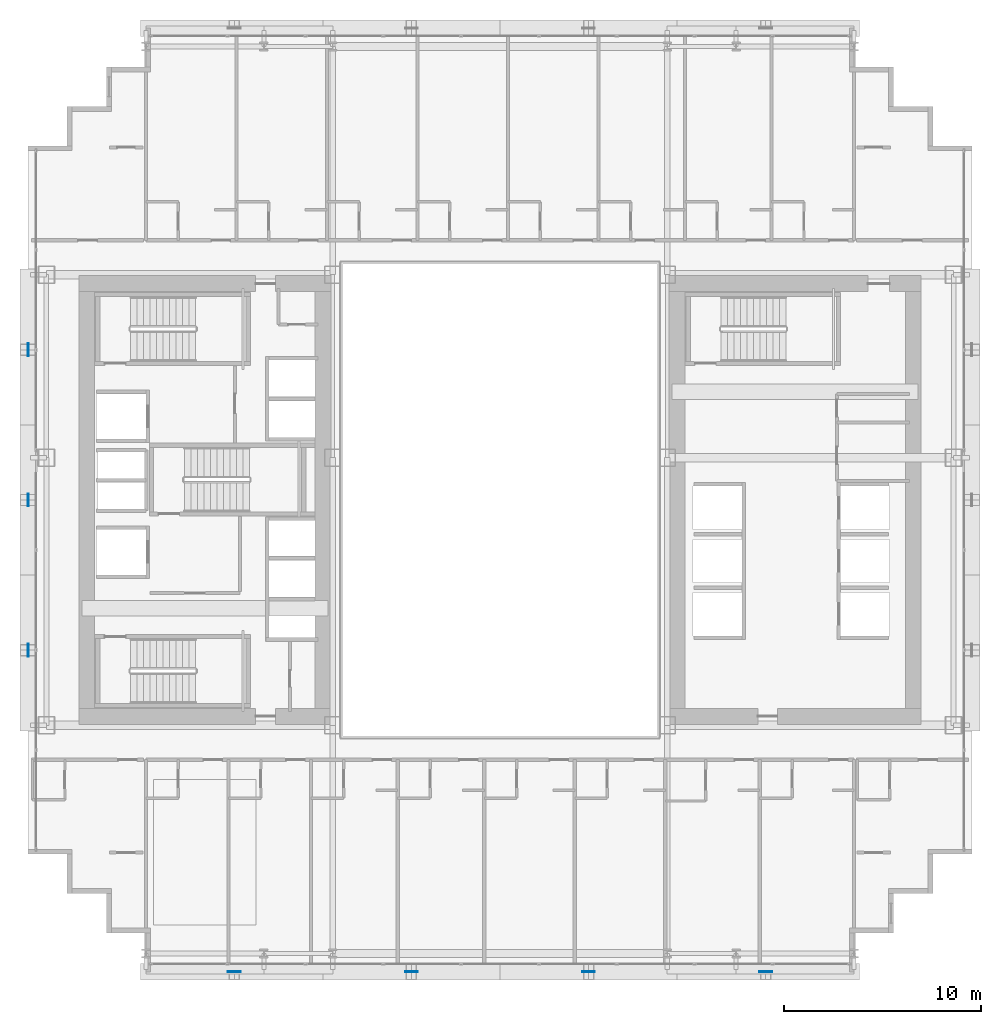
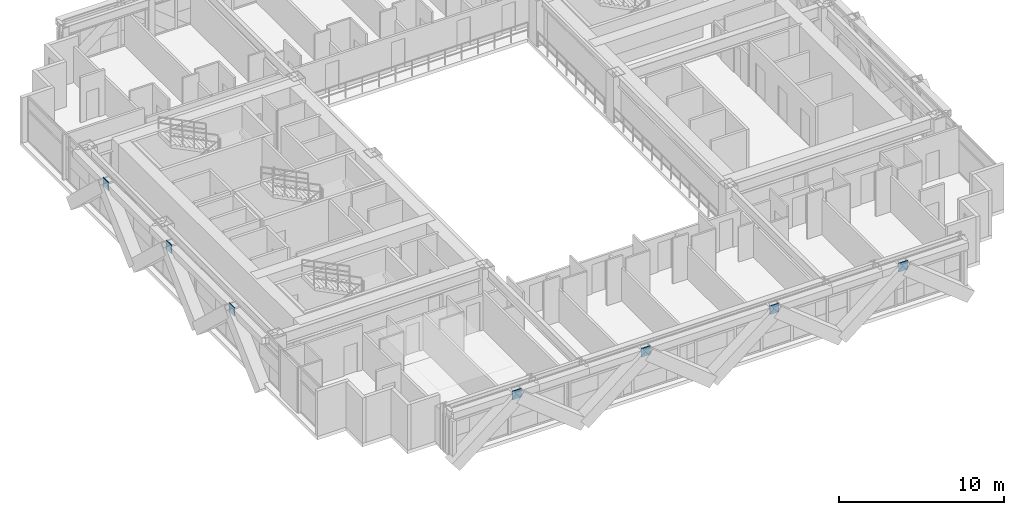
# One storey, part 25 of 36: 7 plates.
"""IFC4 building model written with IfcOpenShell, lengths in metres."""

from ifc_helpers import new_model, si_unit, direction, frame, origin, origin_2d, place, context, subcontext, project, spatial, rectangle, extrude, source, transform, mapped, material, layer, layer_set, type_object, element, save


model = new_model("IFC4")

# Units and contexts
model_context = context("Model", 3, precision=1e-05, world=origin(), true_north=direction((0.0, 1.0)))
body_context = subcontext(model_context, "Body", "Model", "MODEL_VIEW")
ifc_project = project(units=[si_unit("LENGTHUNIT", "METRE"), si_unit("AREAUNIT", "SQUARE_METRE"), si_unit("VOLUMEUNIT", "CUBIC_METRE"), si_unit("PLANEANGLEUNIT", "RADIAN"), si_unit("MASSUNIT", "GRAM", prefix="KILO")], contexts=[model_context])

# Site, building, storey
site_placement = place(None, origin())
site = spatial("IfcSite", under=ifc_project, at=site_placement, CompositionType="ELEMENT")
building_placement = place(site_placement, origin())
building = spatial("IfcBuilding", under=site, at=building_placement, Name="Ocotamira Hotel", CompositionType="ELEMENT")
storey_placement = place(building_placement, frame((0.0, 0.0, 42.0)))
storey = spatial("IfcBuildingStorey", under=building, at=storey_placement, Name="L09", CompositionType="ELEMENT", Elevation=42.0)

# Plates
ifc_material = material(Name="Pale-metal coated steel ASTM A572 Grade 50", Category="steel")
ifc_layer = layer(ifc_material, 0.0400390625)
ifc_layer_set = layer_set([ifc_layer], Name="Pale-metal coated steel ASTM A572 Grade 50")
plate_type = type_object("IfcPlateType", Name="PLT-GUSSET-40", PredefinedType="SHEET", material=ifc_layer_set)
shared_shape_1 = source(origin(), body_context, "Body", "SweptSolid", [
    extrude(rectangle(XDim=0.64990234375, YDim=0.0400390625, at=origin_2d()), origin(), (0.0, 0.0, 1.0), 0.64990234375),
])
for number, where, z_axis, x_axis, name in (
    (1, (18.5, 2.030029296875, 2.775146484375), (0.0, 0.0, 1.0), (1.0, 0.0, 0.0), "L09 Exoskeleton Diagrid S0.1 End Gusset B"),
    (2, (27.5, 2.030029296875, 2.775146484375), (0.0, 0.0, 1.0), (1.0, 0.0, 0.0), "L09 Exoskeleton Diagrid S1.1 End Gusset B"),
    (3, (36.5, 2.030029296875, 2.775146484375), (0.0, 0.0, 1.0), (1.0, 0.0, 0.0), "L09 Exoskeleton Diagrid S2.1 End Gusset B"),
    (4, (45.5, 2.030029296875, 2.775146484375), (0.0, 0.0, 1.0), (1.0, 0.0, 0.0), "L09 Exoskeleton Diagrid S3.1 End Gusset B"),
):
    element("IfcPlate", number, at=place(storey_placement, frame(where, z_axis=z_axis, x_axis=x_axis)), inside=storey, type_object=plate_type, Name=name, PredefinedType="SHEET", context=body_context, shape_type="MappedRepresentation", body=[
        mapped(shared_shape_1, transform((0.0, 0.0, 0.0), scale=1.0)),
    ])
shared_shape_2 = source(origin(), body_context, "Body", "SweptSolid", [
    extrude(rectangle(XDim=0.0400390625, YDim=0.64990234375, at=origin_2d()), origin(), (0.0, 0.0, 1.0), 0.64990234375),
])
for number, where, z_axis, x_axis, name in (
    (5, (8.030029296875, 18.36669921875, 2.775146484375), (0.0, 0.0, 1.0), (1.0, 0.0, 0.0), "L09 Exoskeleton Diagrid W0.1 End Gusset B"),
    (6, (8.030029296875, 26.0, 2.775146484375), (0.0, 0.0, 1.0), (1.0, 0.0, 0.0), "L09 Exoskeleton Diagrid W1.1 End Gusset B"),
    (7, (8.030029296875, 33.63330078125, 2.775146484375), (0.0, 0.0, 1.0), (1.0, 0.0, 0.0), "L09 Exoskeleton Diagrid W2.1 End Gusset B"),
):
    element("IfcPlate", number, at=place(storey_placement, frame(where, z_axis=z_axis, x_axis=x_axis)), inside=storey, type_object=plate_type, Name=name, PredefinedType="SHEET", context=body_context, shape_type="MappedRepresentation", body=[
        mapped(shared_shape_2, transform((0.0, 0.0, 0.0), scale=1.0)),
    ])

save(model, "model.ifc")
